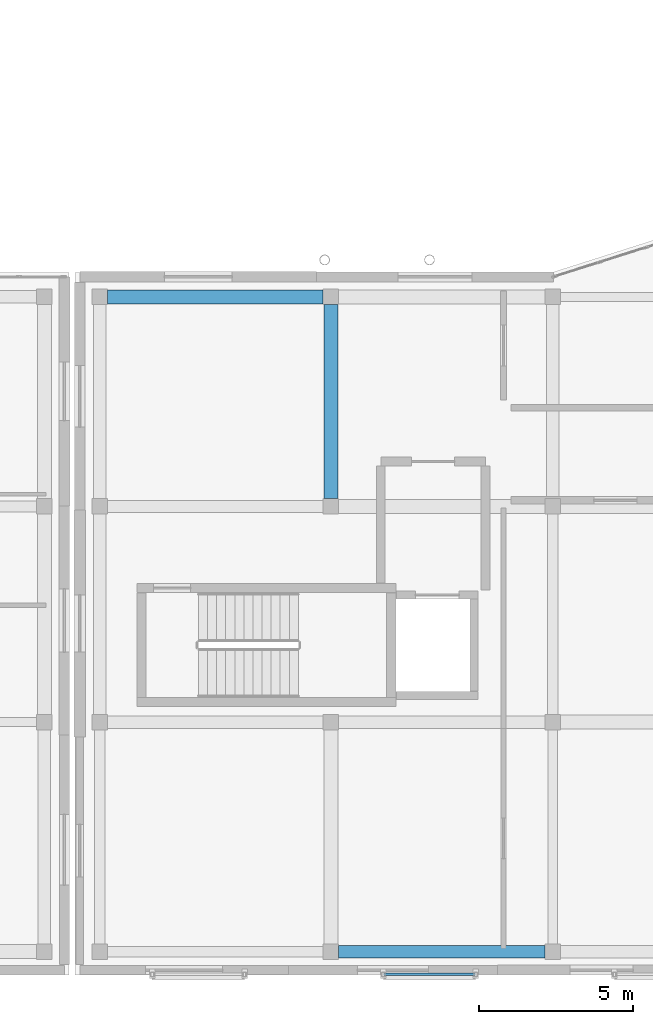
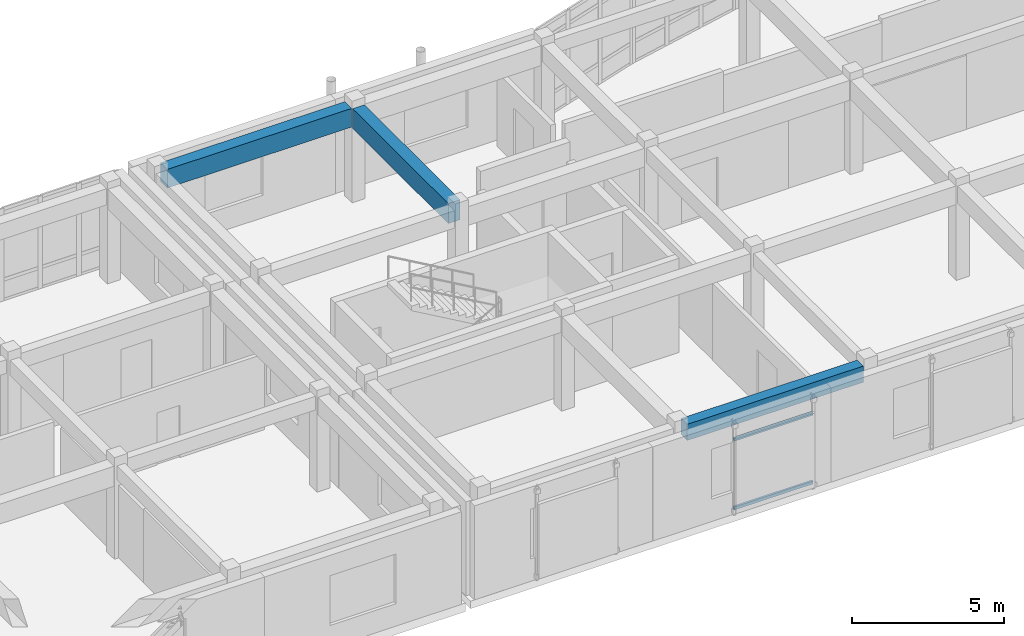
# One storey, part 31 of 91: 3 beams, 2 members.
"""IFC4 building model written with IfcOpenShell, lengths in metres."""

from ifc_helpers import new_model, si_unit, direction, frame, origin, origin_2d, place, context, subcontext, project, spatial, rectangle, hollow_rectangle, extrude, material, material_profile, profile_set, type_object, element, save


model = new_model("IFC4")

# Units and contexts
model_context = context("Model", 3, precision=1e-05, world=origin(), true_north=direction((0.0, 1.0)))
body_context = subcontext(model_context, "Body", "Model", "MODEL_VIEW")
ifc_project = project(units=[si_unit("LENGTHUNIT", "METRE"), si_unit("AREAUNIT", "SQUARE_METRE"), si_unit("VOLUMEUNIT", "CUBIC_METRE"), si_unit("PLANEANGLEUNIT", "RADIAN"), si_unit("MASSUNIT", "GRAM", prefix="KILO")], contexts=[model_context])

# Site, building, storey
site_placement = place(None, origin())
site = spatial("IfcSite", under=ifc_project, at=site_placement, CompositionType="ELEMENT")
building_placement = place(site_placement, origin())
building = spatial("IfcBuilding", under=site, at=building_placement, Name="Valcora Specialist Clinic", CompositionType="ELEMENT")
storey_placement = place(building_placement, frame((0.0, 0.0, 13.60009765625)))
storey = spatial("IfcBuildingStorey", under=building, at=storey_placement, Name="L03", CompositionType="ELEMENT", Elevation=13.60009765625)

# Beams
ifc_material_1 = material(Name="Concrete C40/50", Category="concrete")
ifc_material_profile_1 = material_profile(ifc_material_1, rectangle(XDim=0.39990234375, YDim=0.64990234375, at=origin_2d()), Name="RC-BM-400X650")
ifc_profile_set_1 = profile_set([ifc_material_profile_1], Name="Concrete C40/50")
beam_type_1 = type_object("IfcBeamType", Name="TY-BM-RC400X650", PredefinedType="BEAM", material=ifc_profile_set_1)
beam_1_placement = place(storey_placement, frame((62.050048828125, 0.75, 3.454833984375), z_axis=(1.0, 0.0, 0.0), x_axis=(0.0, 1.0, 0.0)))
element("IfcBeam", 1, at=beam_1_placement, inside=storey, type_object=beam_type_1, Name="Beam BM-L03-1419", PredefinedType="BEAM", context=body_context, shape_type="SweptSolid", body=[
    extrude(rectangle(XDim=0.39990234375, YDim=0.64990234375, at=origin_2d()), origin(), (0.0, 0.0, 1.0), 6.699951171875),
])
ifc_material_profile_2 = material_profile(ifc_material_1, rectangle(XDim=0.449951171875, YDim=0.75, at=origin_2d()), Name="RC-BM-450X750")
ifc_profile_set_2 = profile_set([ifc_material_profile_2], Name="Concrete C40/50")
beam_type_2 = type_object("IfcBeamType", Name="TY-BM-RC450X750", PredefinedType="BEAM", material=ifc_profile_set_2)
beam_2_placement = place(storey_placement, frame((54.550048828125, 22.0, 3.40478515625), z_axis=(1.0, 0.0, 0.0), x_axis=(0.0, 1.0, 0.0)))
element("IfcBeam", 2, at=beam_2_placement, inside=storey, type_object=beam_type_2, Name="Beam BM-L03-1439", PredefinedType="BEAM", context=body_context, shape_type="SweptSolid", body=[
    extrude(rectangle(XDim=0.449951171875, YDim=0.75, at=origin_2d()), origin(), (0.0, 0.0, 1.0), 7.0),
])
ifc_material_profile_3 = material_profile(ifc_material_1, rectangle(XDim=0.449951171875, YDim=0.800048828125, at=origin_2d()), Name="RC-BM-450X800")
ifc_profile_set_3 = profile_set([ifc_material_profile_3], Name="Concrete C40/50")
beam_type_3 = type_object("IfcBeamType", Name="TY-BM-RC450X800", PredefinedType="BEAM", material=ifc_profile_set_3)
beam_3_placement = place(storey_placement, frame((61.800048828125, 15.449951171875, 3.3798828125), z_axis=(0.0, 1.0, 0.0), x_axis=(-1.0, 0.0, 0.0)))
element("IfcBeam", 3, at=beam_3_placement, inside=storey, type_object=beam_type_3, Name="Beam BM-L03-1450", PredefinedType="BEAM", context=body_context, shape_type="SweptSolid", body=[
    extrude(rectangle(XDim=0.449951171875, YDim=0.800048828125, at=origin_2d()), origin(), (0.0, 0.0, 1.0), 6.300048828125),
])

# Members
ifc_material_2 = material(Name="Steel ASTM A500 Grade C", Category="steel")
ifc_material_profile_4 = material_profile(ifc_material_2, hollow_rectangle(XDim=0.080078125, YDim=0.1201171875, WallThickness=0.0048828125, at=origin_2d()), Name="ST-RHS-120X80X5")
ifc_profile_set_4 = profile_set([ifc_material_profile_4], Name="Steel ASTM A500 Grade C")
member_type = type_object("IfcMemberType", Name="TY-MB-SFRAIL", PredefinedType="STRINGER", material=ifc_profile_set_4)
for number, where, z_axis, x_axis, name in (
    (4, (63.5, 0.010009765625, 0.239990234375), (1.0, 0.0, 0.0), (0.0, 1.0, 0.0), "Brick screen carrier rail 143"),
    (5, (63.5, 0.010009765625, 3.0), (1.0, 0.0, 0.0), (0.0, 1.0, 0.0), "Brick screen carrier rail 144"),
):
    element("IfcMember", number, at=place(storey_placement, frame(where, z_axis=z_axis, x_axis=x_axis)), inside=storey, type_object=member_type, Name=name, PredefinedType="STRINGER", context=body_context, shape_type="SweptSolid", body=[
        extrude(hollow_rectangle(XDim=0.080078125, YDim=0.1201171875, WallThickness=0.0048828125, at=origin_2d()), origin(), (0.0, 0.0, 1.0), 3.0),
    ])

save(model, "model.ifc")
